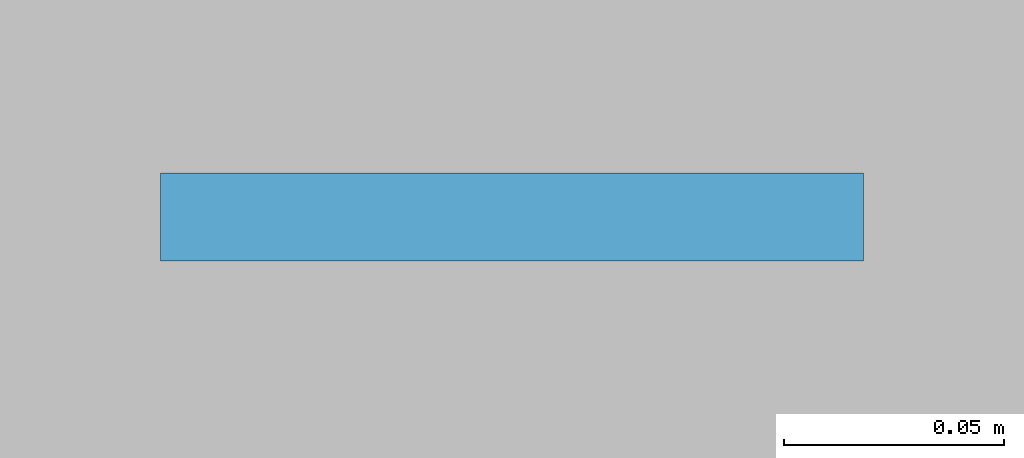
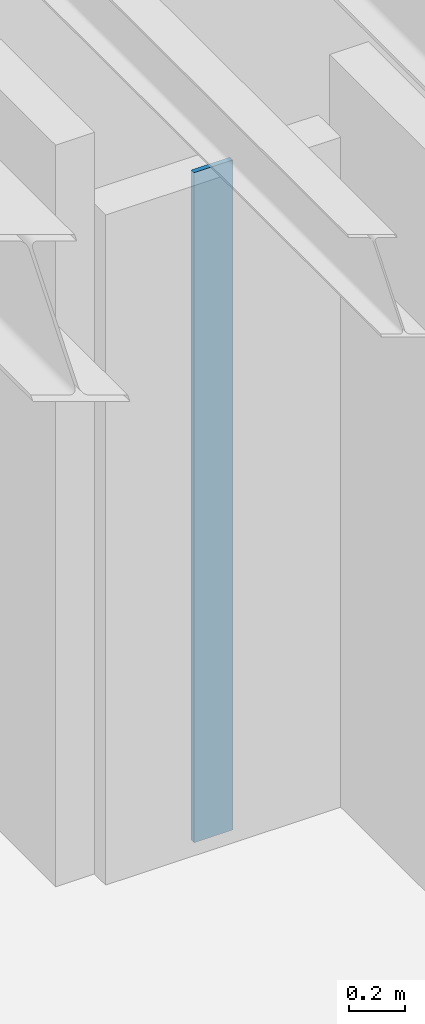
# One storey, part 4 of 12: 1 plate.
"""IFC4 building model written with IfcOpenShell, lengths in metres."""

from ifc_helpers import new_model, si_unit, direction, frame, origin, origin_2d, place, context, subcontext, project, spatial, rectangle, extrude, material, layer, layer_set, type_object, element, save


model = new_model("IFC4")

# Units and contexts
model_context = context("Model", 3, precision=1e-05, world=origin(), true_north=direction((0.0, 1.0)))
body_context = subcontext(model_context, "Body", "Model", "MODEL_VIEW")
ifc_project = project(units=[si_unit("LENGTHUNIT", "METRE"), si_unit("AREAUNIT", "SQUARE_METRE"), si_unit("VOLUMEUNIT", "CUBIC_METRE"), si_unit("PLANEANGLEUNIT", "RADIAN"), si_unit("MASSUNIT", "GRAM", prefix="KILO")], contexts=[model_context])

# Site, building, storey
site_placement = place(None, origin())
site = spatial("IfcSite", under=ifc_project, at=site_placement, CompositionType="ELEMENT")
building_placement = place(site_placement, origin())
building = spatial("IfcBuilding", under=site, at=building_placement, Name="Miruveldt Soraemaru", CompositionType="ELEMENT")
storey_placement = place(building_placement, frame((0.0, 0.0, 145.89990234375)))
storey = spatial("IfcBuildingStorey", under=building, at=storey_placement, Name="L40", CompositionType="ELEMENT", Elevation=145.89990234375)

# Plate
ifc_material = material(Name="Anodised aluminium EN AW-6063 T6", Category="aluminium")
ifc_layer = layer(ifc_material, 0.02001953125, Name="Anodised aluminium EN AW-6063 T6", Category="aluminium")
ifc_layer_set = layer_set([ifc_layer], Name="Anodised aluminium EN AW-6063 T6")
plate_type = type_object("IfcPlateType", Name="PLT-PART-TRIM", PredefinedType="SHEET", material=ifc_layer_set)
plate_placement = place(storey_placement, frame((57.614990234375, 46.7041015625, 0.0), z_axis=(0.0, 0.0, 1.0), x_axis=(-1.0, 0.0, 0.0)))
element("IfcPlate", 1, at=plate_placement, inside=storey, type_object=plate_type, Name="L40 Partition Step Corner Trim Plate 059", PredefinedType="SHEET", context=body_context, shape_type="SweptSolid", body=[
    extrude(rectangle(XDim=0.159912109375, YDim=0.02001953125, at=origin_2d()), origin(), (0.0, 0.0, 1.0), 2.923095703125),
])

save(model, "model.ifc")
